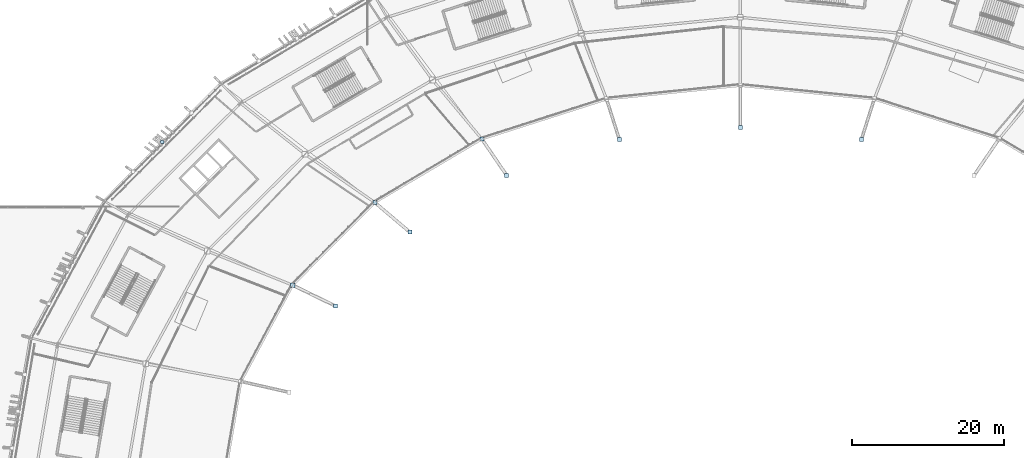
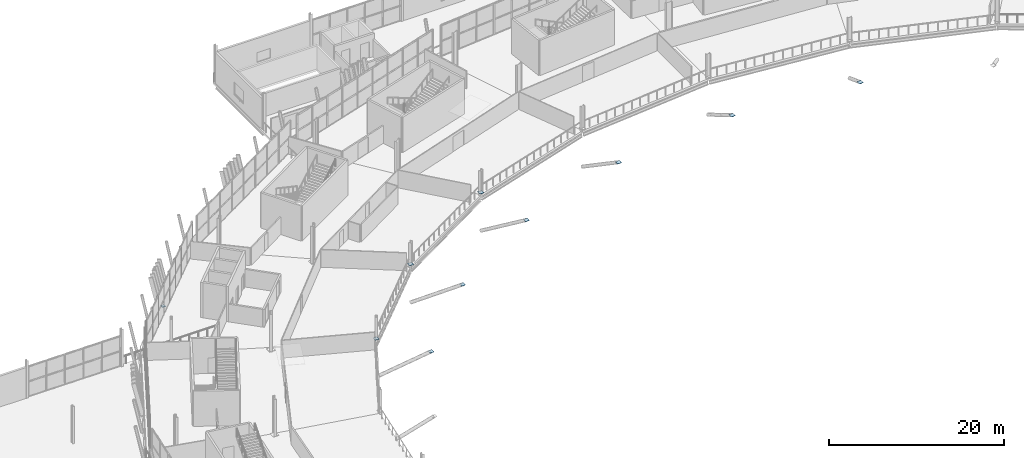
# One storey, part 101 of 168: 10 plates.
"""IFC4 building model written with IfcOpenShell, lengths in metres."""

from ifc_helpers import new_model, si_unit, direction, frame, origin, origin_2d, place, context, subcontext, project, spatial, rectangle, extrude, material, layer, layer_set, type_object, element, save


model = new_model("IFC4")

# Units and contexts
model_context = context("Model", 3, precision=1e-05, world=origin(), true_north=direction((0.0, 1.0)))
body_context = subcontext(model_context, "Body", "Model", "MODEL_VIEW")
ifc_project = project(units=[si_unit("LENGTHUNIT", "METRE"), si_unit("AREAUNIT", "SQUARE_METRE"), si_unit("VOLUMEUNIT", "CUBIC_METRE"), si_unit("PLANEANGLEUNIT", "RADIAN"), si_unit("MASSUNIT", "GRAM", prefix="KILO")], contexts=[model_context])

# Site, building, storey
site_placement = place(None, origin())
site = spatial("IfcSite", under=ifc_project, at=site_placement, CompositionType="ELEMENT")
building_placement = place(site_placement, origin())
building = spatial("IfcBuilding", under=site, at=building_placement, Name="Zlatoyarsky Gate Stadium", CompositionType="ELEMENT")
storey_placement = place(building_placement, frame((0.0, 0.0, 15.60009765625)))
storey = spatial("IfcBuildingStorey", under=building, at=storey_placement, Name="L03", CompositionType="ELEMENT", Elevation=15.60009765625)

# Plates
ifc_material = material(Name="Steel S355", Category="steel")
ifc_layer = layer(ifc_material, 0.02392578125)
ifc_layer_set = layer_set([ifc_layer], Name="Steel S355")
plate_type = type_object("IfcPlateType", Name="STEEL HOLLOW CHORD SPLICE SHEET 24", PredefinedType="SHEET", material=ifc_layer_set)
for number, where, z_axis, x_axis, name in (
    (1, (126.91748046875, 125.3984375, -1.761962890625), (0.0, 0.0, 1.0), (1.0, 0.0, 0.0), "Node closure plate ND-SP1 NCAP-UTIP-05"),
    (2, (111.0, 127.0, -1.761962890625), (0.0, 0.0, 1.0), (1.0, 0.0, 0.0), "Node closure plate ND-SP1 NCAP-UTIP-06"),
    (3, (95.08251953125, 125.3984375, -1.761962890625), (0.0, 0.0, 1.0), (1.0, 0.0, 0.0), "Node closure plate ND-SP1 NCAP-UTIP-07"),
    (4, (80.25, 120.703125, -1.761962890625), (0.0, 0.0, 1.0), (1.0, 0.0, 0.0), "Node closure plate ND-SP1 NCAP-UTIP-08"),
    (5, (77.0, 125.46630859375, 0.337890625), (0.0, 0.0, 1.0), (1.0, 0.0, 0.0), "Node closure plate ND-SP1 NCAP-UTOPB-08"),
    (6, (67.512939453125, 113.23388671875, -1.761962890625), (0.0, 0.0, 1.0), (1.0, 0.0, 0.0), "Node closure plate ND-SP1 NCAP-UTIP-09"),
    (7, (62.916748046875, 117.123046875, 0.337890625), (0.0, 0.0, 1.0), (1.0, 0.0, 0.0), "Node closure plate ND-SP1 NCAP-UTOPB-09"),
    (8, (57.739501953125, 103.5, -1.761962890625), (0.0, 0.0, 1.0), (1.0, 0.0, 0.0), "Node closure plate ND-SP1 NCAP-UTIP-10"),
    (9, (52.1103515625, 106.25, 0.337890625), (0.0, 0.0, 1.0), (1.0, 0.0, 0.0), "Node closure plate ND-SP1 NCAP-UTOPB-10"),
):
    element("IfcPlate", number, at=place(storey_placement, frame(where, z_axis=z_axis, x_axis=x_axis)), inside=storey, type_object=plate_type, Name=name, PredefinedType="SHEET", context=body_context, shape_type="SweptSolid", body=[
        extrude(rectangle(XDim=0.5400390625, YDim=0.5400390625, at=origin_2d()), origin(), (0.0, 0.0, 1.0), 0.02392578125),
    ])
plate_placement = place(storey_placement, frame((34.937255859375, 125.086669921875, -0.5419921875), z_axis=(0.0, 0.0, 1.0), x_axis=(1.0, 0.0, 0.0)))
element("IfcPlate", 10, at=plate_placement, inside=storey, type_object=plate_type, Name="Node closure plate ND-SP1 NCAP-RIB-09-2-1T", PredefinedType="SHEET", context=body_context, shape_type="SweptSolid", body=[
    extrude(rectangle(XDim=0.43994140625, YDim=0.43994140625, at=origin_2d()), origin(), (0.0, 0.0, 1.0), 0.02392578125),
])

save(model, "model.ifc")
